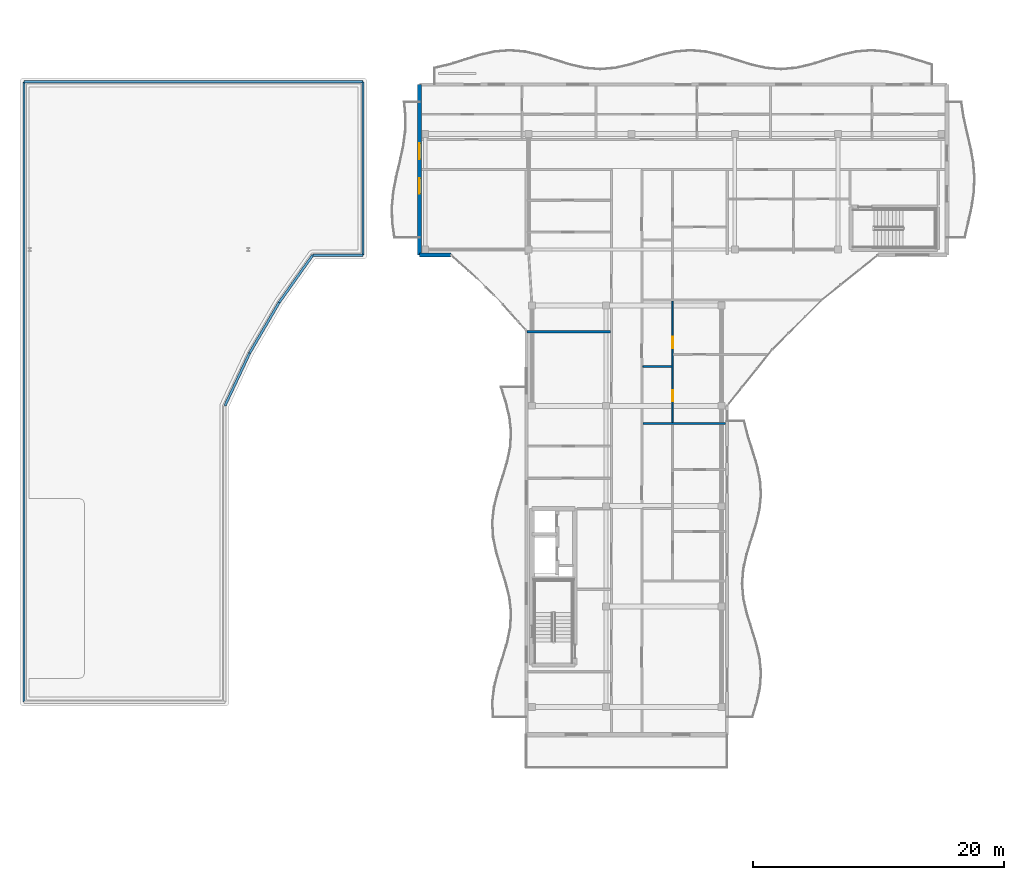
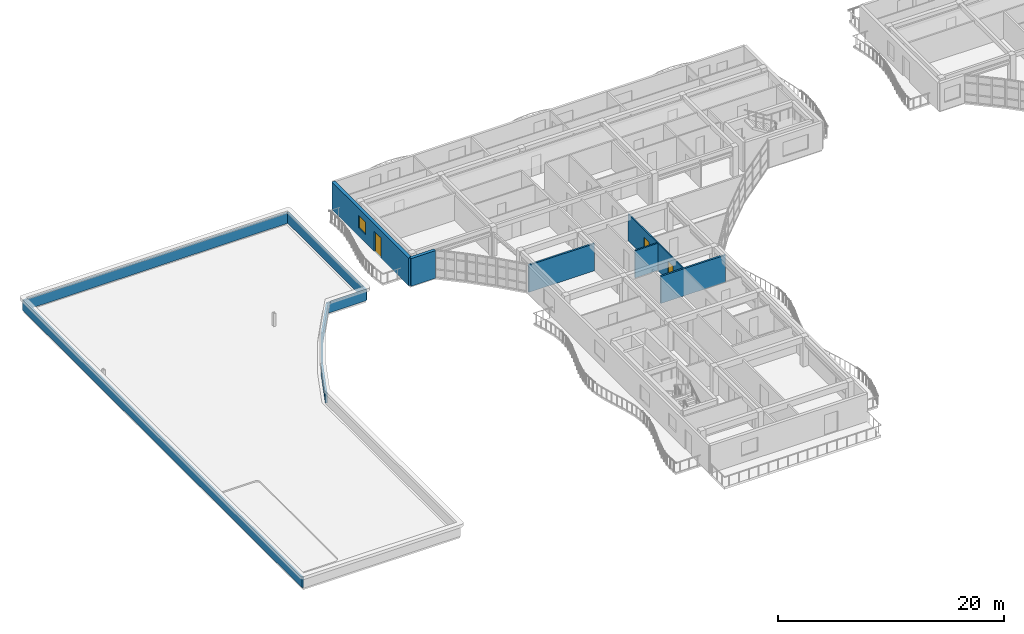
# One storey, part 27 of 54: 13 walls, 3 doors, 1 window, 4 openings.
"""IFC4 building model written with IfcOpenShell, lengths in metres."""

import ifcopenshell
import ifcopenshell.guid

model = None  # the IFC model being written
_history = None  # IfcOwnerHistory: only IFC2X3 demands one
_inside = {}  # id of a spatial element -> (the spatial element, [elements in it])
_under = {}  # id of a project, library or spatial element -> (it, [spatial elements below it])
_declared = {}  # id of a project -> (the project, [libraries it declares])
_typed = {}  # id of a type object -> (the type object, [elements of that type])
_made_of = {}  # id of a material, layer set ... -> (it, [elements and type objects made of it])


def new_model(schema):
    """Start an empty IFC model of exactly this schema.

    Asked for "IFC4X3", IfcOpenShell would pick the latest addendum, in which some entities
    have other attributes; the version numbers below select the first issue.
    IFC2X3 requires an IfcOwnerHistory on every rooted entity: one is made here for all.
    """
    global model, _history
    if schema == "IFC4X3":
        model = ifcopenshell.file(schema_version=(4, 3, 0, 0))
    else:
        model = ifcopenshell.file(schema=schema)
    _inside.clear()
    _under.clear()
    _declared.clear()
    _typed.clear()
    _made_of.clear()
    _history = None
    if model.schema == "IFC2X3":
        org = make("IfcOrganization", Name="unknown")
        user = make(
            "IfcPersonAndOrganization",
            ThePerson=make("IfcPerson", FamilyName="unknown"),
            TheOrganization=org,
        )
        app = make(
            "IfcApplication",
            ApplicationDeveloper=org,
            Version="unknown",
            ApplicationFullName="unknown",
            ApplicationIdentifier="unknown",
        )
        _history = make(
            "IfcOwnerHistory",
            OwningUser=user,
            OwningApplication=app,
            ChangeAction="ADDED",
            CreationDate=0,
        )
    return model


def make(cls, **values):
    """One entity of the class cls with the attributes given. An attribute that is None is left unset."""
    return model.create_entity(
        cls, **{name: value for name, value in values.items() if value is not None}
    )


def rooted(cls, **values):
    """An entity with a GlobalId (a new one), such as an element, a storey or a relation."""
    return make(cls, GlobalId=ifcopenshell.guid.new(), OwnerHistory=_history, **values)


def si_unit(unit_type, name, prefix=None):
    """IfcSIUnit, for example si_unit("LENGTHUNIT", "METRE", prefix="MILLI")."""
    return make("IfcSIUnit", UnitType=unit_type, Prefix=prefix, Name=name)


def assignment(units):
    """IfcUnitAssignment: the units of a project."""
    return None if units is None else make("IfcUnitAssignment", Units=units)


def point(xyz):
    """IfcCartesianPoint."""
    return None if xyz is None else make("IfcCartesianPoint", Coordinates=xyz)


def direction(xyz):
    """IfcDirection."""
    return None if xyz is None else make("IfcDirection", DirectionRatios=xyz)


def frame(location, z_axis=None, x_axis=None):
    """IfcAxis2Placement3D, a coordinate frame: its origin and axes. An axis left out is left unset."""
    return make(
        "IfcAxis2Placement3D",
        Location=point(location),
        Axis=direction(z_axis),
        RefDirection=direction(x_axis),
    )


def frame_2d(location, x_axis=None):
    """IfcAxis2Placement2D, a coordinate frame in the plane: its origin and x axis."""
    return make(
        "IfcAxis2Placement2D", Location=point(location), RefDirection=direction(x_axis)
    )


def origin():
    """The frame at (0, 0, 0) with its axes left unset."""
    return frame((0.0, 0.0, 0.0))


def place(relative_to, where):
    """IfcLocalPlacement: puts the frame where relative to a parent placement (None: the world)."""
    return make(
        "IfcLocalPlacement", PlacementRelTo=relative_to, RelativePlacement=where
    )


def context(
    kind, dimensions, precision=None, world=None, true_north=None, identifier=None
):
    """IfcGeometricRepresentationContext, for example the 3D "Model" context."""
    return make(
        "IfcGeometricRepresentationContext",
        ContextIdentifier=identifier,
        ContextType=kind,
        CoordinateSpaceDimension=dimensions,
        Precision=precision,
        WorldCoordinateSystem=world,
        TrueNorth=true_north,
    )


def subcontext(parent, identifier, kind, view, scale=None):
    """IfcGeometricRepresentationSubContext, for example "Body" below "Model"."""
    return make(
        "IfcGeometricRepresentationSubContext",
        ContextIdentifier=identifier,
        ContextType=kind,
        ParentContext=parent,
        TargetScale=scale,
        TargetView=view,
    )


def project(units=None, contexts=None):
    """IfcProject with its units and contexts."""
    return rooted(
        "IfcProject",
        Name="project",
        RepresentationContexts=contexts,
        UnitsInContext=assignment(units),
    )


def spatial(cls, under=None, at=None, **own):
    """A site, building, storey or space (cls), placed at a placement, below another one or the project."""
    s = rooted(cls, ObjectPlacement=at, **own)
    if under is not None:
        _under.setdefault(under.id(), (under, []))[1].append(s)
    return s


def profile(cls, at=None, kind="AREA", **sizes):
    """A parametric profile (cls). Its sizes go by their IFC names, for example OverallWidth=200.0."""
    return make(cls, ProfileType=kind, Position=at, **sizes)


def rectangle(**sizes):
    """IfcRectangleProfileDef."""
    return profile("IfcRectangleProfileDef", **sizes)


def extrude(swept, where, along, depth):
    """IfcExtrudedAreaSolid: the profile swept, set in the frame where, extruded along a direction by depth."""
    return make(
        "IfcExtrudedAreaSolid",
        SweptArea=swept,
        Position=where,
        ExtrudedDirection=direction(along),
        Depth=depth,
    )


def shape(context_of_items, identifier, shape_type, items):
    """IfcShapeRepresentation: the items that make up one representation, for example the "Body"."""
    return make(
        "IfcShapeRepresentation",
        ContextOfItems=context_of_items,
        RepresentationIdentifier=identifier,
        RepresentationType=shape_type,
        Items=items,
    )


def material(Name=None, Category=None):
    """IfcMaterial."""
    return make("IfcMaterial", Name=Name, Category=Category)


def layer(
    of_material, thickness, ventilated=None, Name=None, Category=None, Priority=None
):
    """IfcMaterialLayer: one layer of a wall or slab, of a material (None: an air gap)."""
    return make(
        "IfcMaterialLayer",
        Material=of_material,
        LayerThickness=thickness,
        IsVentilated=ventilated,
        Name=Name,
        Category=Category,
        Priority=Priority,
    )


def layer_set(layers, Name=None):
    """IfcMaterialLayerSet."""
    return make("IfcMaterialLayerSet", MaterialLayers=layers, LayerSetName=Name)


def made_of(thing, what):
    """Note that an element or type object is made of a material, layer set ...; save() writes the relation."""
    if what is not None:
        _made_of.setdefault(what.id(), (what, []))[1].append(thing)
    return thing


def type_object(cls, material=None, **own):
    """A type object (cls), such as IfcWallType, which elements share."""
    return made_of(rooted(cls, **own), material)


def element(
    cls,
    number,
    at=None,
    inside=None,
    cuts=None,
    type_object=None,
    material=None,
    context=None,
    identifier="Body",
    shape_type=None,
    held_by="IfcProductDefinitionShape",
    body=None,
    shapes=None,
    **own,
):
    """One element of the class cls, such as IfcWall. Its Tag is "e" and its number.

    at: its placement. inside: the storey or other place that contains it. cuts: it is an
    opening in that element (IfcRelVoidsElement). A single representation is given by context,
    identifier, shape_type and body (its items); several are given by shapes. held_by: the class
    of the entity that holds the representations. save() writes the other relations.
    """
    e = rooted(cls, Tag="e%d" % number, ObjectPlacement=at, **own)
    if body is not None:
        shapes = [shape(context, identifier, shape_type, body)]
    if shapes is not None:
        e.Representation = make(held_by, Representations=shapes)
    if inside is not None:
        _inside.setdefault(inside.id(), (inside, []))[1].append(e)
    if cuts is not None:
        rooted(
            "IfcRelVoidsElement", RelatingBuildingElement=cuts, RelatedOpeningElement=e
        )
    if type_object is not None:
        _typed.setdefault(type_object.id(), (type_object, []))[1].append(e)
    return made_of(e, material)


def fill(opening, filler):
    """IfcRelFillsElement: the door or window that sits in an opening."""
    return rooted(
        "IfcRelFillsElement",
        RelatingOpeningElement=opening,
        RelatedBuildingElement=filler,
    )


def aggregate(whole, parts):
    """IfcRelAggregates: a whole, such as a stair, and the parts it consists of."""
    return rooted("IfcRelAggregates", RelatingObject=whole, RelatedObjects=parts)


def save(model, path):
    """Write the relations noted so far, then the file.

    IfcRelAggregates (storeys below a building ...), IfcRelContainedInSpatialStructure (elements
    in a storey), IfcRelDefinesByType, IfcRelAssociatesMaterial and IfcRelDeclares: one each for
    every whole, place, type object, material and project.
    """
    for whole, parts in _under.values():
        aggregate(whole, parts)
    for where, things in _inside.values():
        rooted(
            "IfcRelContainedInSpatialStructure",
            RelatedElements=things,
            RelatingStructure=where,
        )
    for kind, things in _typed.values():
        rooted("IfcRelDefinesByType", RelatedObjects=things, RelatingType=kind)
    for what, things in _made_of.values():
        rooted("IfcRelAssociatesMaterial", RelatedObjects=things, RelatingMaterial=what)
    for by, libraries in _declared.values():
        rooted("IfcRelDeclares", RelatingContext=by, RelatedDefinitions=libraries)
    model.write(path)


model = new_model("IFC4")

# Units and contexts
model_context = context("Model", 3, precision=1e-05, world=origin(), true_north=direction((0.0, 1.0)))
body_context = subcontext(model_context, "Body", "Model", "MODEL_VIEW")
ifc_project = project(units=[si_unit("LENGTHUNIT", "METRE"), si_unit("AREAUNIT", "SQUARE_METRE"), si_unit("VOLUMEUNIT", "CUBIC_METRE"), si_unit("PLANEANGLEUNIT", "RADIAN"), si_unit("MASSUNIT", "GRAM", prefix="KILO")], contexts=[model_context])

# Site, building, storey
site_placement = place(None, origin())
site = spatial("IfcSite", under=ifc_project, at=site_placement, CompositionType="ELEMENT")
building_placement = place(site_placement, origin())
building = spatial("IfcBuilding", under=site, at=building_placement, Name="Keldmere Railside Commons", CompositionType="ELEMENT")
storey_placement = place(building_placement, frame((0.0, 0.0, 26.56005859375)))
storey = spatial("IfcBuildingStorey", under=building, at=storey_placement, Name="L08", CompositionType="ELEMENT", Elevation=26.56005859375)

# Walls
ifc_material_1 = material(Name="Acoustic Gypsum Board Partition", Category="gypsum")
ifc_layer_1 = layer(ifc_material_1, 0.179931640625, Name="Acoustic Demising Partition 180")
ifc_layer_set_1 = layer_set([ifc_layer_1], Name="Acoustic Gypsum Board Partition")
wall_type_1 = type_object("IfcWallType", Name="Acoustic Demising Partition 180", PredefinedType="PARTITIONING", material=ifc_layer_set_1)
wall_1_placement = place(storey_placement, frame((57.280029296875, 86.580078125, 0.0), z_axis=(0.0, 0.0, 1.0), x_axis=(1.0, 0.0, 0.0)))
element("IfcWall", 1, at=wall_1_placement, inside=storey, type_object=wall_type_1, Name="IW-1 IW-L08-0825", PredefinedType="PARTITIONING", context=body_context, shape_type="SweptSolid", body=[
    extrude(rectangle(XDim=6.599853515625, YDim=0.179931640625, at=frame_2d((3.2998046875, 0.0))), origin(), (0.0, 0.0, 1.0), 2.93505859375),
])
wall_2_placement = place(storey_placement, frame((48.0400390625, 93.89990234375, 0.0), z_axis=(0.0, 0.0, 1.0), x_axis=(1.0, 0.0, 0.0)))
element("IfcWall", 2, at=wall_2_placement, inside=storey, type_object=wall_type_1, Name="IW-1 IW-L08-0851", PredefinedType="PARTITIONING", context=body_context, shape_type="SweptSolid", body=[
    extrude(rectangle(XDim=6.679931640625, YDim=0.179931640625, at=frame_2d((3.33984375, 0.0))), origin(), (0.0, 0.0, 1.0), 2.93505859375),
])

# Wall, openings, doors
ifc_layer_2 = layer(ifc_material_1, 0.1201171875, Name="Apartment Interior Partition 120")
ifc_layer_set_2 = layer_set([ifc_layer_2], Name="Acoustic Gypsum Board Partition")
wall_type_2 = type_object("IfcWallType", Name="Apartment Interior Partition 120", PredefinedType="PARTITIONING", material=ifc_layer_set_2)
wall_3_placement = place(storey_placement, frame((59.659912109375, 86.669921875, 0.0), z_axis=(0.0, 0.0, 1.0), x_axis=(0.0, 1.0, 0.0)))
wall_3 = element("IfcWall", 3, at=wall_3_placement, inside=storey, type_object=wall_type_2, Name="IW-4 IW-L08-0831", PredefinedType="PARTITIONING", context=body_context, shape_type="SweptSolid", body=[
    extrude(rectangle(XDim=9.670166015625, YDim=0.1201171875, at=frame_2d((4.8349609375, 0.0))), origin(), (0.0, 0.0, 1.0), 2.93505859375),
])
opening_1_placement = place(wall_3_placement, frame((1.69091796875, 0.0, 0.0)))
opening_1 = element("IfcOpeningElement", 4, at=opening_1_placement, cuts=wall_3, Name="Opening ID-04", PredefinedType="OPENING", context=body_context, shape_type="SweptSolid", body=[
    extrude(rectangle(XDim=0.860107421875, YDim=2.10009765625, at=frame_2d((0.43017578125, 1.050048828125))), frame((0.0, 0.070068359375, 0.0), z_axis=(0.0, -1.0, 0.0), x_axis=(1.0, 0.0, 0.0)), (0.0, 0.0, 1.0), 0.14013671875),
])
opening_2_placement = place(wall_3_placement, frame((5.91162109375, 0.0, 0.0)))
opening_2 = element("IfcOpeningElement", 5, at=opening_2_placement, cuts=wall_3, Name="Opening ID-03", PredefinedType="OPENING", context=body_context, shape_type="SweptSolid", body=[
    extrude(rectangle(XDim=0.919921875, YDim=2.10009765625, at=frame_2d((0.4599609375, 1.050048828125))), frame((0.0, 0.070068359375, 0.0), z_axis=(0.0, -1.0, 0.0), x_axis=(1.0, 0.0, 0.0)), (0.0, 0.0, 1.0), 0.14013671875),
])
ifc_material_2 = material(Name="Engineered Oak Timber", Category="wood")
door_type_1 = type_object("IfcDoorType", Name="Apartment Bathroom Door 860x2100", OperationType="NOTDEFINED", PredefinedType="DOOR", material=ifc_material_2)
door_1_placement = place(opening_1_placement, origin())
door_1 = element("IfcDoor", 6, at=door_1_placement, inside=storey, type_object=door_type_1, Name="ID-04 IDR-L08-0709", OperationType="SINGLE_SWING_LEFT", OverallHeight=2.10009765625, OverallWidth=0.860107421875, PredefinedType="DOOR", context=body_context, shape_type="SweptSolid", body=[
    extrude(rectangle(XDim=0.860107421875, YDim=2.10009765625, at=frame_2d((0.43017578125, 1.050048828125))), frame((0.0, 0.02490234375, 0.0), z_axis=(0.0, -1.0, 0.0), x_axis=(1.0, 0.0, 0.0)), (0.0, 0.0, 1.0), 0.050048828125),
])
fill(opening_1, door_1)
door_type_2 = type_object("IfcDoorType", Name="Kitchen Pocket-Frame Swing Door 920x2100", OperationType="NOTDEFINED", PredefinedType="DOOR", material=ifc_material_2)
door_2_placement = place(opening_2_placement, origin())
door_2 = element("IfcDoor", 7, at=door_2_placement, inside=storey, type_object=door_type_2, Name="ID-03 IDR-L08-0710", OperationType="SINGLE_SWING_RIGHT", OverallHeight=2.10009765625, OverallWidth=0.919921875, PredefinedType="DOOR", context=body_context, shape_type="SweptSolid", body=[
    extrude(rectangle(XDim=0.919921875, YDim=2.10009765625, at=frame_2d((0.4599609375, 1.050048828125))), frame((0.0, 0.02490234375, 0.0), z_axis=(0.0, -1.0, 0.0), x_axis=(1.0, 0.0, 0.0)), (0.0, 0.0, 1.0), 0.050048828125),
])
fill(opening_2, door_2)

# Wall, openings, door, window
ifc_material_3 = material(Name="Concrete H-35 (C35/45)", Category="concrete")
ifc_layer_3 = layer(ifc_material_3, 0.320068359375, Name="Exterior Shear Wall 320")
ifc_layer_set_3 = layer_set([ifc_layer_3], Name="Concrete H-35 (C35/45)")
wall_type_3 = type_object("IfcWallType", Name="Exterior Shear Wall 320", PredefinedType="SHEAR", material=ifc_layer_set_3)
wall_4_placement = place(storey_placement, frame((39.5, 100.0, 0.0), z_axis=(0.0, 0.0, 1.0), x_axis=(0.0, 1.0, 0.0)))
wall_4 = element("IfcWall", 8, at=wall_4_placement, inside=storey, type_object=wall_type_3, Name="ESW-2 EXTC-L08-0393", PredefinedType="SHEAR", context=body_context, shape_type="SweptSolid", body=[
    extrude(rectangle(XDim=13.60009765625, YDim=0.320068359375, at=frame_2d((6.800048828125, 0.0))), origin(), (0.0, 0.0, 1.0), 2.97998046875),
])
opening_3_placement = place(wall_4_placement, frame((4.89990234375, 0.0, 0.0)))
opening_3 = element("IfcOpeningElement", 9, at=opening_3_placement, cuts=wall_4, Name="Opening BD-01", PredefinedType="OPENING", context=body_context, shape_type="SweptSolid", body=[
    extrude(rectangle(XDim=1.199951171875, YDim=2.199951171875, at=frame_2d((0.60009765625, 1.10009765625))), frame((0.0, 0.169921875, 0.0), z_axis=(0.0, -1.0, 0.0), x_axis=(1.0, 0.0, 0.0)), (0.0, 0.0, 1.0), 0.340087890625),
])
opening_4_placement = place(wall_4_placement, frame((7.64990234375, 0.0, 0.8701171875)))
opening_4 = element("IfcOpeningElement", 10, at=opening_4_placement, cuts=wall_4, Name="Opening WN-09", PredefinedType="OPENING", context=body_context, shape_type="SweptSolid", body=[
    extrude(rectangle(XDim=1.25, YDim=1.35009765625, at=frame_2d((0.625, 0.675048828125))), frame((0.0, 0.169921875, 0.0), z_axis=(0.0, -1.0, 0.0), x_axis=(1.0, 0.0, 0.0)), (0.0, 0.0, 1.0), 0.340087890625),
])
ifc_material_4 = material(Name="Thermally Broken Aluminium", Category="aluminium")
door_type_3 = type_object("IfcDoorType", Name="Apartment Living Wave-Balcony Glazed Door 1200x2200", OperationType="NOTDEFINED", PredefinedType="DOOR", material=ifc_material_4)
door_3_placement = place(opening_3_placement, origin())
door_3 = element("IfcDoor", 11, at=door_3_placement, inside=storey, type_object=door_type_3, Name="BD-01 DR-L08-0113", OperationType="SINGLE_SWING_LEFT", OverallHeight=2.199951171875, OverallWidth=1.199951171875, PredefinedType="DOOR", context=body_context, shape_type="SweptSolid", body=[
    extrude(rectangle(XDim=1.199951171875, YDim=2.199951171875, at=frame_2d((0.60009765625, 1.10009765625))), frame((0.0, 0.02490234375, 0.0), z_axis=(0.0, -1.0, 0.0), x_axis=(1.0, 0.0, 0.0)), (0.0, 0.0, 1.0), 0.050048828125),
])
fill(opening_3, door_3)
ifc_material_5 = material(Name="Low-E Insulated Double Glazing", Category="glass")
window_type = type_object("IfcWindowType", Name="Secondary Bedroom Window 1250x1350", PartitioningType="SINGLE_PANEL", PredefinedType="WINDOW", material=ifc_material_5)
window_placement = place(opening_4_placement, origin())
window = element("IfcWindow", 12, at=window_placement, inside=storey, type_object=window_type, Name="WN-09 WIN-L08-0317", OverallHeight=1.35009765625, OverallWidth=1.25, PartitioningType="SINGLE_PANEL", PredefinedType="WINDOW", context=body_context, shape_type="SweptSolid", body=[
    extrude(rectangle(XDim=1.25, YDim=1.35009765625, at=frame_2d((0.625, 0.675048828125))), frame((0.0, 0.030029296875, 0.0), z_axis=(0.0, -1.0, 0.0), x_axis=(1.0, 0.0, 0.0)), (0.0, 0.0, 1.0), 0.06005859375),
])
fill(opening_4, window)

# Walls
wall_5_placement = place(storey_placement, frame((42.0, 100.0, 0.0), z_axis=(0.0, 0.0, 1.0), x_axis=(-1.0, 0.0, 0.0)))
element("IfcWall", 13, at=wall_5_placement, inside=storey, type_object=wall_type_3, Name="ESW-2 EXTC-L08-0394", PredefinedType="SHEAR", context=body_context, shape_type="SweptSolid", body=[
    extrude(rectangle(XDim=2.5, YDim=0.320068359375, at=frame_2d((1.25, 0.0))), origin(), (0.0, 0.0, 1.0), 2.97998046875),
])
ifc_material_6 = material(Name="Architectural Precast Concrete H-35 (C35/45)", Category="concrete")
ifc_layer_4 = layer(ifc_material_6, 0.18994140625, Name="Roof Parapet Wall 190")
ifc_layer_set_4 = layer_set([ifc_layer_4], Name="Architectural Precast Concrete H-35 (C35/45)")
wall_type_4 = type_object("IfcWallType", Name="Roof Parapet Wall 190", PredefinedType="PARAPET", material=ifc_layer_set_4)
wall_6_placement = place(storey_placement, frame((25.971923828125, 92.202880859375, 0.0), z_axis=(0.0, 0.0, 1.0), x_axis=(-0.42475586338, -0.905307934641, 0.0)))
element("IfcWall", 14, at=wall_6_placement, inside=storey, type_object=wall_type_4, Name="PW-1 PRPD-L08-0179", PredefinedType="PARAPET", context=body_context, shape_type="SweptSolid", body=[
    extrude(rectangle(XDim=4.642578125, YDim=0.18994140625, at=frame_2d((2.3212890625, 0.0))), origin(), (0.0, 0.0, 1.0), 1.099853515625),
])
wall_7_placement = place(storey_placement, frame((28.31201171875, 96.214111328125, 0.0), z_axis=(0.0, 0.0, 1.0), x_axis=(-0.503903712488, -0.863759832674, 0.0)))
element("IfcWall", 15, at=wall_7_placement, inside=storey, type_object=wall_type_4, Name="PW-1 PRPD-L08-0180", PredefinedType="PARAPET", context=body_context, shape_type="SweptSolid", body=[
    extrude(rectangle(XDim=4.643798828125, YDim=0.18994140625, at=frame_2d((2.32177734375, 0.0))), origin(), (0.0, 0.0, 1.0), 1.099853515625),
])
wall_8_placement = place(storey_placement, frame((31.0, 100.0, 0.0), z_axis=(0.0, 0.0, 1.0), x_axis=(-0.578922967844, -0.815382239997, 0.0)))
element("IfcWall", 16, at=wall_8_placement, inside=storey, type_object=wall_type_4, Name="PW-1 PRPD-L08-0181", PredefinedType="PARAPET", context=body_context, shape_type="SweptSolid", body=[
    extrude(rectangle(XDim=4.64306640625, YDim=0.18994140625, at=frame_2d((2.321533203125, 0.0))), origin(), (0.0, 0.0, 1.0), 1.099853515625),
])
wall_9_placement = place(storey_placement, frame((35.0, 100.0, 0.0), z_axis=(0.0, 0.0, 1.0), x_axis=(-1.0, 0.0, 0.0)))
element("IfcWall", 17, at=wall_9_placement, inside=storey, type_object=wall_type_4, Name="PW-1 PRPD-L08-0182", PredefinedType="PARAPET", context=body_context, shape_type="SweptSolid", body=[
    extrude(rectangle(XDim=4.0, YDim=0.18994140625, at=frame_2d((2.0, 0.0))), origin(), (0.0, 0.0, 1.0), 1.099853515625),
])
wall_10_placement = place(storey_placement, frame((35.0, 113.800048828125, 0.0), z_axis=(0.0, 0.0, 1.0), x_axis=(0.0, -1.0, 0.0)))
element("IfcWall", 18, at=wall_10_placement, inside=storey, type_object=wall_type_4, Name="PW-1 PRPD-L08-0183", PredefinedType="PARAPET", context=body_context, shape_type="SweptSolid", body=[
    extrude(rectangle(XDim=13.800048828125, YDim=0.18994140625, at=frame_2d((6.89990234375, 0.0))), origin(), (0.0, 0.0, 1.0), 1.099853515625),
])
wall_11_placement = place(storey_placement, frame((8.0, 113.800048828125, 0.0), z_axis=(0.0, 0.0, 1.0), x_axis=(1.0, 0.0, 0.0)))
element("IfcWall", 19, at=wall_11_placement, inside=storey, type_object=wall_type_4, Name="PW-1 PRPD-L08-0184", PredefinedType="PARAPET", context=body_context, shape_type="SweptSolid", body=[
    extrude(rectangle(XDim=27.0, YDim=0.18994140625, at=frame_2d((13.5, 0.0))), origin(), (0.0, 0.0, 1.0), 1.099853515625),
])
wall_12_placement = place(storey_placement, frame((8.0, 64.39990234375, 0.0), z_axis=(0.0, 0.0, 1.0), x_axis=(0.0, 1.0, 0.0)))
element("IfcWall", 20, at=wall_12_placement, inside=storey, type_object=wall_type_4, Name="PW-1 PRPD-L08-0185", PredefinedType="PARAPET", context=body_context, shape_type="SweptSolid", body=[
    extrude(rectangle(XDim=49.400146484375, YDim=0.18994140625, at=frame_2d((24.7001953125, 0.0))), origin(), (0.0, 0.0, 1.0), 1.099853515625),
])
ifc_layer_5 = layer(ifc_material_1, 0.139892578125, Name="Wet-Room Sanitary Partition 140")
ifc_layer_set_5 = layer_set([ifc_layer_5], Name="Acoustic Gypsum Board Partition")
wall_type_5 = type_object("IfcWallType", Name="Wet-Room Sanitary Partition 140", PredefinedType="PARTITIONING", material=ifc_layer_set_5)
wall_13_placement = place(storey_placement, frame((57.280029296875, 91.1201171875, 0.0), z_axis=(0.0, 0.0, 1.0), x_axis=(1.0, 0.0, 0.0)))
element("IfcWall", 21, at=wall_13_placement, inside=storey, type_object=wall_type_5, Name="IW-5 IW-L08-0832", PredefinedType="PARTITIONING", context=body_context, shape_type="SweptSolid", body=[
    extrude(rectangle(XDim=2.320068359375, YDim=0.139892578125, at=frame_2d((1.16015625, 0.0))), origin(), (0.0, 0.0, 1.0), 2.93505859375),
])

save(model, "model.ifc")
